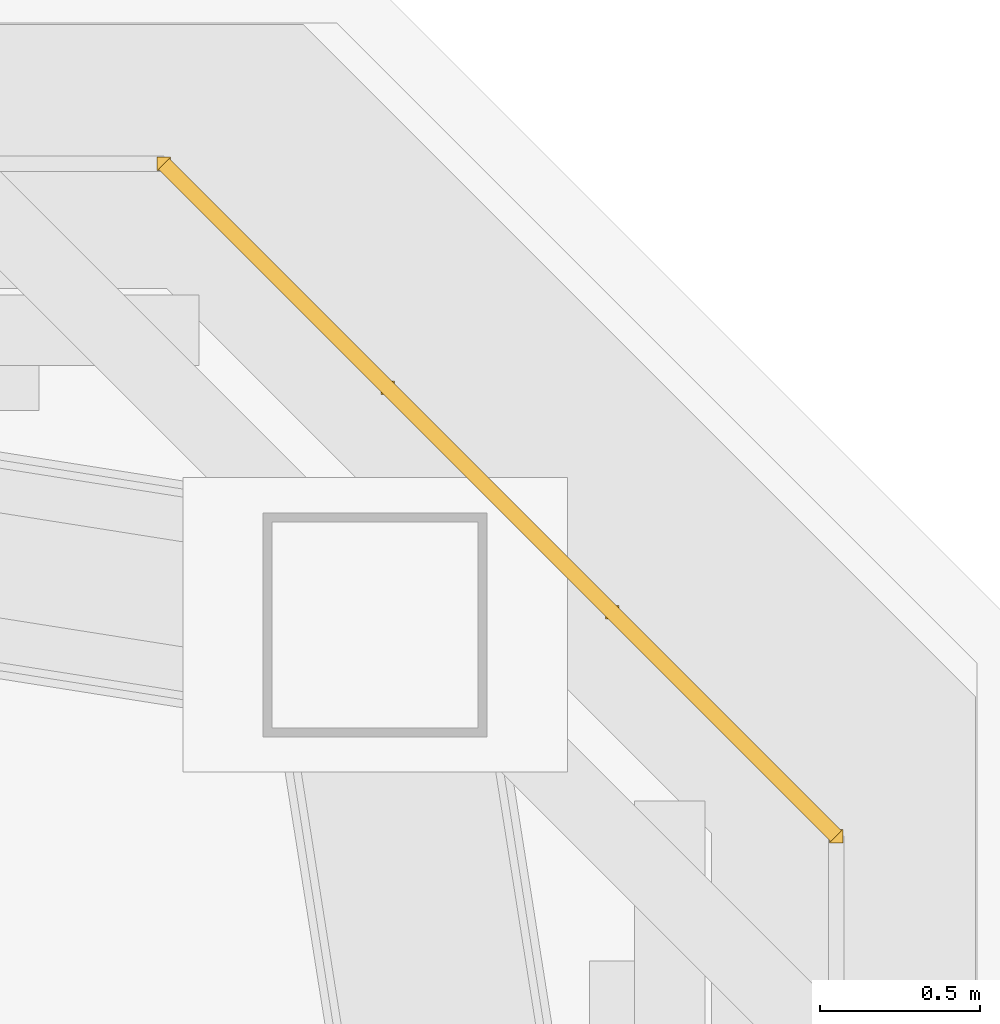
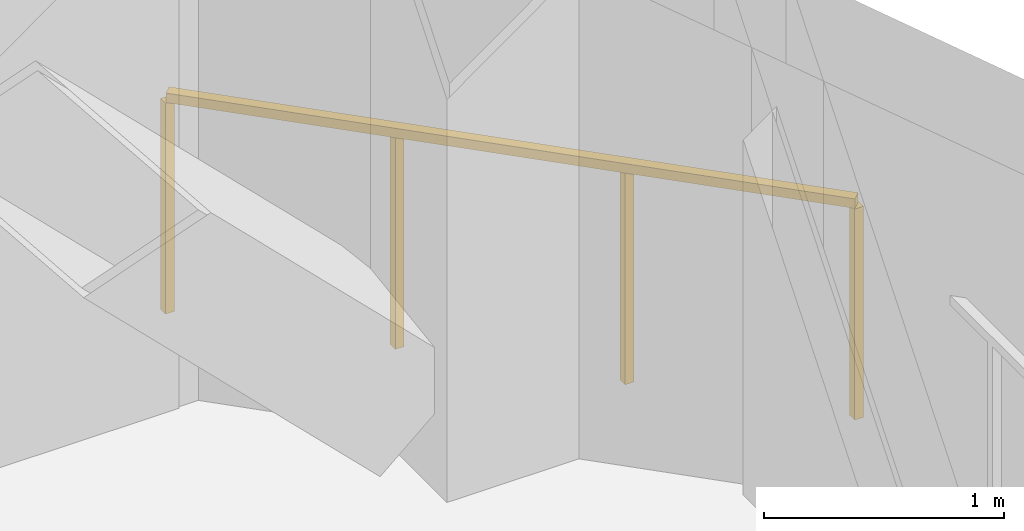
# One storey, part 27 of 28: 1 railing.
"""IFC4 building model written with IfcOpenShell, lengths in metres."""

from ifc_helpers import new_model, si_unit, direction, frame, origin, origin_2d, place, context, subcontext, project, spatial, rectangle, extrude, material, type_object, element, save


model = new_model("IFC4")

# Units and contexts
model_context = context("Model", 3, precision=1e-05, world=origin(), true_north=direction((0.0, 1.0)))
body_context = subcontext(model_context, "Body", "Model", "MODEL_VIEW")
ifc_project = project(units=[si_unit("LENGTHUNIT", "METRE"), si_unit("AREAUNIT", "SQUARE_METRE"), si_unit("VOLUMEUNIT", "CUBIC_METRE"), si_unit("PLANEANGLEUNIT", "RADIAN"), si_unit("MASSUNIT", "GRAM", prefix="KILO")], contexts=[model_context])

# Site, building, storey
site_placement = place(None, origin())
site = spatial("IfcSite", under=ifc_project, at=site_placement, CompositionType="ELEMENT")
building_placement = place(site_placement, origin())
building = spatial("IfcBuilding", under=site, at=building_placement, Name="Tashvorn Skyway Center", CompositionType="ELEMENT")
storey_placement = place(building_placement, frame((0.0, 0.0, 277.60009765625)))
storey = spatial("IfcBuildingStorey", under=building, at=storey_placement, Name="Roof Level", CompositionType="ELEMENT", Elevation=277.60009765625)

# Railing
ifc_material = material(Name="Galvanized steel S355", Category="steel")
railing_type = type_object("IfcRailingType", Name="RAIL-GUARD-1120", PredefinedType="GUARDRAIL", material=ifc_material)
railing_placement = place(storey_placement, frame((56.739990234375, 44.639892578125, 0.0)))
element("IfcRailing", 1, at=railing_placement, inside=storey, type_object=railing_type, Name="Roof Level Tower 1 Crown Plant Deck Guardrail 04", PredefinedType="GUARDRAIL", context=body_context, shape_type="SweptSolid", body=[
    extrude(rectangle(XDim=0.048095703125, YDim=0.048095703125, at=origin_2d()), frame((0.0, 0.0, 1.09619140625), z_axis=(-0.707106781187, 0.707106781187, 0.0), x_axis=(-0.707106781187, -0.707106781187, 0.0)), (0.0, 0.0, 1.0), 2.969970703125),
    extrude(rectangle(XDim=0.0419921875, YDim=0.0419921875, at=origin_2d()), origin(), (0.0, 0.0, 1.0), 1.072021484375),
    extrude(rectangle(XDim=0.0419921875, YDim=0.0419921875, at=origin_2d()), frame((-0.699951171875, 0.699951171875, 0.0)), (0.0, 0.0, 1.0), 1.072021484375),
    extrude(rectangle(XDim=0.0419921875, YDim=0.0419921875, at=origin_2d()), frame((-1.400146484375, 1.400146484375, 0.0)), (0.0, 0.0, 1.0), 1.072021484375),
    extrude(rectangle(XDim=0.0419921875, YDim=0.0419921875, at=origin_2d()), frame((-2.10009765625, 2.10009765625, 0.0)), (0.0, 0.0, 1.0), 1.072021484375),
])

save(model, "model.ifc")
